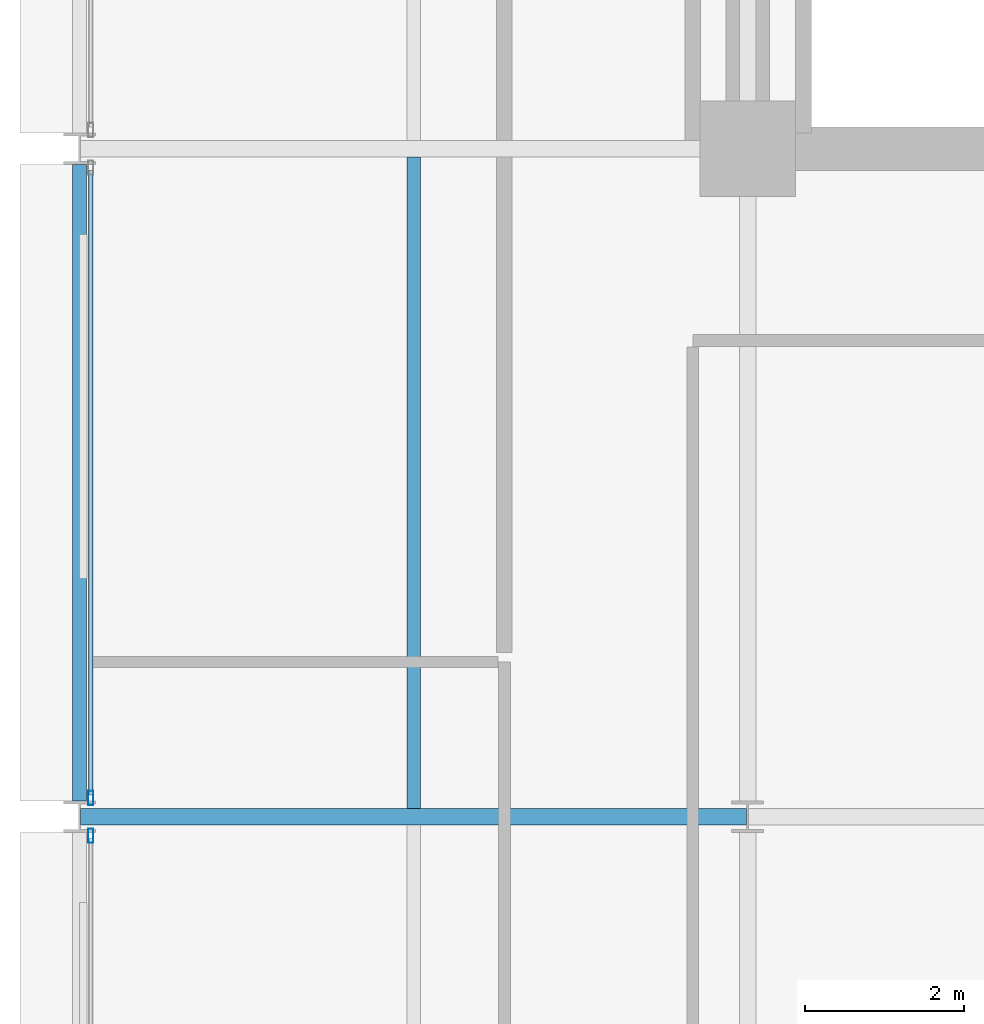
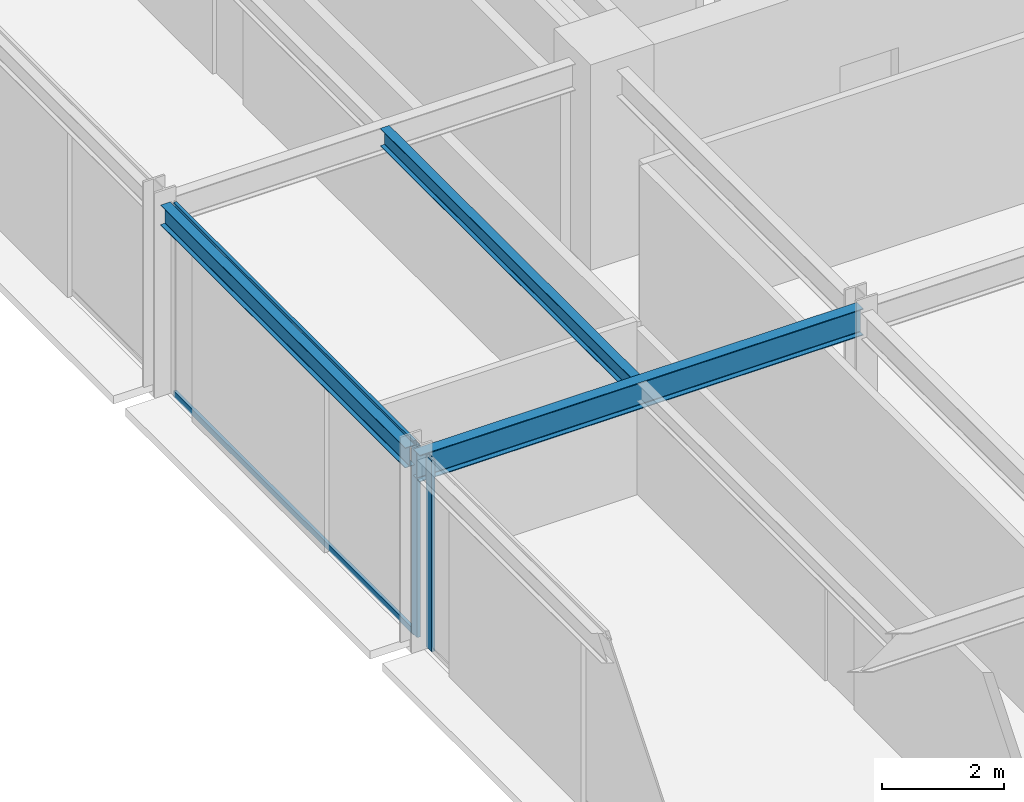
# One storey, part 8 of 30: 4 members, 3 beams, 2 elements without a shape of their own.
"""IFC4 building model written with IfcOpenShell, lengths in metres."""

from ifc_helpers import new_model, si_unit, direction, frame, origin, origin_2d, place, context, subcontext, project, spatial, hollow_rectangle, i_section, extrude, material, layer, layer_set, material_profile, profile_set, type_object, element, aggregate, save


model = new_model("IFC4")

# Units and contexts
model_context = context("Model", 3, precision=1e-05, world=origin(), true_north=direction((0.0, 1.0)))
body_context = subcontext(model_context, "Body", "Model", "MODEL_VIEW")
ifc_project = project(units=[si_unit("LENGTHUNIT", "METRE"), si_unit("AREAUNIT", "SQUARE_METRE"), si_unit("VOLUMEUNIT", "CUBIC_METRE"), si_unit("PLANEANGLEUNIT", "RADIAN"), si_unit("MASSUNIT", "GRAM", prefix="KILO")], contexts=[model_context])

# Site, building, storey
site_placement = place(None, origin())
site = spatial("IfcSite", under=ifc_project, at=site_placement, CompositionType="ELEMENT")
building_placement = place(site_placement, origin())
building = spatial("IfcBuilding", under=site, at=building_placement, Name="Nerrivon Quay Data Exchange", CompositionType="ELEMENT")
storey_placement = place(building_placement, frame((0.0, 0.0, 117.199951171875)))
storey = spatial("IfcBuildingStorey", under=building, at=storey_placement, Name="L27", CompositionType="ELEMENT", Elevation=117.199951171875)

# Beams
ifc_material_1 = material(Name="Steel Grade 350", Category="steel")
ifc_material_profile_1 = material_profile(ifc_material_1, i_section(OverallWidth=0.208984375, OverallDepth=0.532958984375, WebThickness=0.01025390625, FlangeThickness=0.015625, FilletRadius=0.013916015625, at=origin_2d()), Name="530UB92.4")
ifc_profile_set_1 = profile_set([ifc_material_profile_1], Name="Steel Grade 350")
beam_type_1 = type_object("IfcBeamType", Name="BM-G3-530UB92", PredefinedType="BEAM", material=ifc_profile_set_1)
beam_1_placement = place(storey_placement, frame((0.012451171875, 16.800048828125, 3.55859375), z_axis=(1.0, 0.0, 0.0), x_axis=(0.0, 1.0, 0.0)))
element("IfcBeam", 1, at=beam_1_placement, inside=storey, type_object=beam_type_1, Name="L27 EW Girder Y=16.8 (0.0..8.4)", PredefinedType="BEAM", context=body_context, shape_type="SweptSolid", body=[
    extrude(i_section(OverallWidth=0.208984375, OverallDepth=0.532958984375, WebThickness=0.01025390625, FlangeThickness=0.015625, FilletRadius=0.013916015625, at=origin_2d()), origin(), (0.0, 0.0, 1.0), 8.375),
])
ifc_material_profile_2 = material_profile(ifc_material_1, i_section(OverallWidth=0.1708984375, OverallDepth=0.35595703125, WebThickness=0.00732421875, FlangeThickness=0.011474609375, FilletRadius=0.011474609375, at=origin_2d()), Name="360UB50.7")
ifc_profile_set_2 = profile_set([ifc_material_profile_2], Name="Steel Grade 350")
beam_type_2 = type_object("IfcBeamType", Name="BM-J4-360UB51", PredefinedType="JOIST", material=ifc_profile_set_2)
beam_2_placement = place(storey_placement, frame((4.199951171875, 16.904541015625, 3.64697265625), z_axis=(0.0, 1.0, 0.0), x_axis=(-1.0, 0.0, 0.0)))
element("IfcBeam", 2, at=beam_2_placement, inside=storey, type_object=beam_type_2, Name="L27 Secondary Joist X=4.2 (16.8..25.2)", PredefinedType="JOIST", context=body_context, shape_type="SweptSolid", body=[
    extrude(i_section(OverallWidth=0.1708984375, OverallDepth=0.35595703125, WebThickness=0.00732421875, FlangeThickness=0.011474609375, FilletRadius=0.011474609375, at=origin_2d()), origin(), (0.0, 0.0, 1.0), 8.19091796875),
])
ifc_material_profile_3 = material_profile(ifc_material_1, i_section(OverallWidth=0.177978515625, OverallDepth=0.403076171875, WebThickness=0.007568359375, FlangeThickness=0.010986328125, FilletRadius=0.011474609375, at=origin_2d()), Name="410UB53.7")
ifc_profile_set_3 = profile_set([ifc_material_profile_3], Name="Steel Grade 350")
beam_type_3 = type_object("IfcBeamType", Name="BM-SP2-410UB54", PredefinedType="SPANDREL", material=ifc_profile_set_3)
beam_3_placement = place(storey_placement, frame((0.0, 17.0, 3.62353515625), z_axis=(0.0, 1.0, 0.0), x_axis=(-1.0, 0.0, 0.0)))
element("IfcBeam", 3, at=beam_3_placement, inside=storey, type_object=beam_type_3, Name="L27 NS Girder X=0.0 (16.8..25.2)", PredefinedType="SPANDREL", context=body_context, shape_type="SweptSolid", body=[
    extrude(i_section(OverallWidth=0.177978515625, OverallDepth=0.403076171875, WebThickness=0.007568359375, FlangeThickness=0.010986328125, FilletRadius=0.011474609375, at=origin_2d()), origin(), (0.0, 0.0, 1.0), 8.0),
])

# Curtain wall, member
ifc_material_2 = material(Name="Anodised aluminium 6063-T6", Category="aluminium")
ifc_layer = layer(ifc_material_2, 0.2099609375)
ifc_layer_set = layer_set([ifc_layer], Name="Anodised aluminium 6063-T6")
curtain_wall_type = type_object("IfcCurtainWallType", Name="CW-SYS-02", PredefinedType="NOTDEFINED", material=ifc_layer_set)
curtain_wall_1_placement = place(storey_placement, origin())
curtain_wall_1 = element("IfcCurtainWall", 4, at=curtain_wall_1_placement, inside=storey, type_object=curtain_wall_type, Name="L27 Unitised Curtain Wall 12", PredefinedType="NOTDEFINED")
ifc_material_profile_4 = material_profile(ifc_material_2, hollow_rectangle(XDim=0.06494140625, YDim=0.179931640625, WallThickness=0.00341796875, at=origin_2d()), Name="ALU-MULL-180x65")
ifc_profile_set_4 = profile_set([ifc_material_profile_4], Name="Anodised aluminium 6063-T6")
member_type_1 = type_object("IfcMemberType", Name="CWM-180x65", PredefinedType="MULLION", material=ifc_profile_set_4)
member_1_placement = place(storey_placement, frame((0.139892578125, 16.5625, 0.0), z_axis=(0.0, 0.0, 1.0), x_axis=(-1.0, 0.0, 0.0)))
member_1 = element("IfcMember", 5, at=member_1_placement, type_object=member_type_1, Name="CW02 mullion 2", PredefinedType="MULLION", context=body_context, shape_type="SweptSolid", body=[
    extrude(hollow_rectangle(XDim=0.06494140625, YDim=0.179931640625, WallThickness=0.00341796875, at=origin_2d()), origin(), (0.0, 0.0, 1.0), 3.824951171875),
])
aggregate(curtain_wall_1, [member_1])

# Curtain wall, members
curtain_wall_2_placement = place(storey_placement, origin())
curtain_wall_2 = element("IfcCurtainWall", 6, at=curtain_wall_2_placement, inside=storey, type_object=curtain_wall_type, Name="L27 Unitised Curtain Wall 13", PredefinedType="NOTDEFINED")
member_2_placement = place(storey_placement, frame((0.139892578125, 17.03759765625, 0.0), z_axis=(0.0, 0.0, 1.0), x_axis=(-1.0, 0.0, 0.0)))
member_2 = element("IfcMember", 7, at=member_2_placement, type_object=member_type_1, Name="CW02 mullion 1", PredefinedType="MULLION", context=body_context, shape_type="SweptSolid", body=[
    extrude(hollow_rectangle(XDim=0.06494140625, YDim=0.179931640625, WallThickness=0.00341796875, at=origin_2d()), origin(), (0.0, 0.0, 1.0), 3.824951171875),
])
ifc_material_profile_5 = material_profile(ifc_material_2, hollow_rectangle(XDim=0.06005859375, YDim=0.1201171875, WallThickness=0.003173828125, at=origin_2d()), Name="ALU-TRAN-120x60")
ifc_profile_set_5 = profile_set([ifc_material_profile_5], Name="Anodised aluminium 6063-T6")
member_type_2 = type_object("IfcMemberType", Name="CWT-120x60", PredefinedType="USERDEFINED", material=ifc_profile_set_5)
member_3_placement = place(storey_placement, frame((0.139892578125, 17.074951171875, 0.032470703125), z_axis=(0.0, 1.0, 0.0), x_axis=(-1.0, 0.0, 0.0)))
member_3 = element("IfcMember", 8, at=member_3_placement, type_object=member_type_2, Name="CW02 transom 1.1", ObjectType="TRANSOM", PredefinedType="USERDEFINED", context=body_context, shape_type="SweptSolid", body=[
    extrude(hollow_rectangle(XDim=0.06005859375, YDim=0.1201171875, WallThickness=0.003173828125, at=origin_2d()), origin(), (0.0, 0.0, 1.0), 7.85009765625),
])
member_4_placement = place(storey_placement, frame((0.139892578125, 17.074951171875, 3.79248046875), z_axis=(0.0, 1.0, 0.0), x_axis=(-1.0, 0.0, 0.0)))
member_4 = element("IfcMember", 9, at=member_4_placement, type_object=member_type_2, Name="CW02 transom 1.2", ObjectType="TRANSOM", PredefinedType="USERDEFINED", context=body_context, shape_type="SweptSolid", body=[
    extrude(hollow_rectangle(XDim=0.06005859375, YDim=0.1201171875, WallThickness=0.003173828125, at=origin_2d()), origin(), (0.0, 0.0, 1.0), 7.85009765625),
])
aggregate(curtain_wall_2, [member_2, member_3, member_4])

save(model, "model.ifc")
